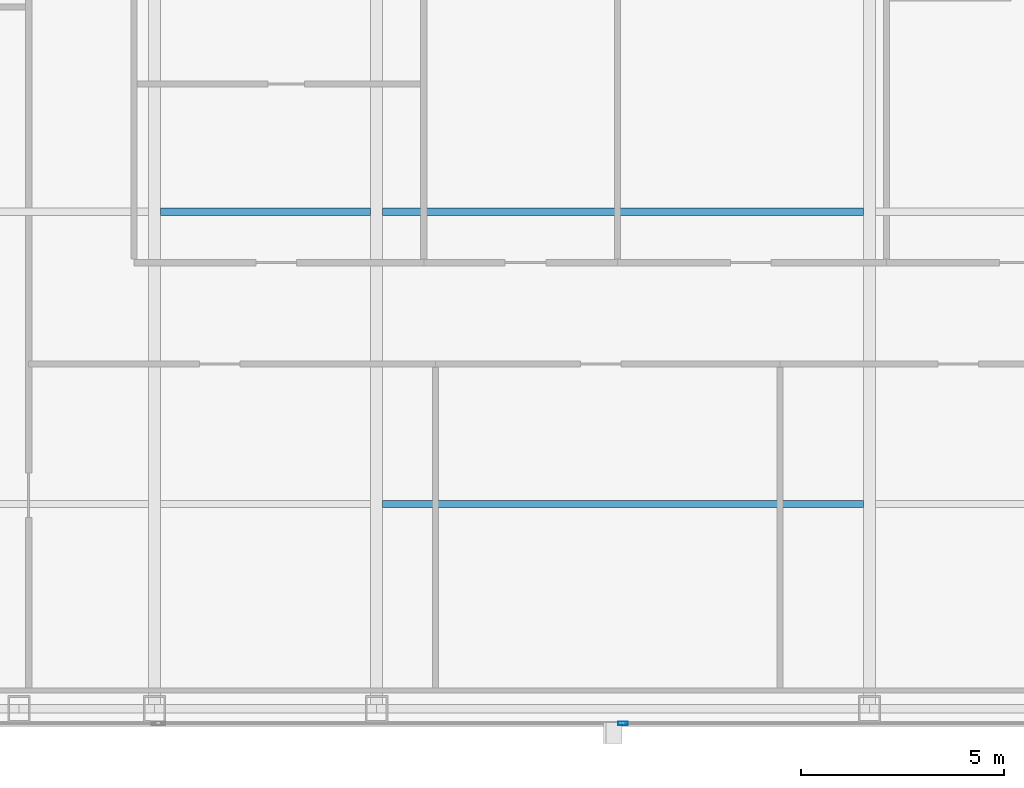
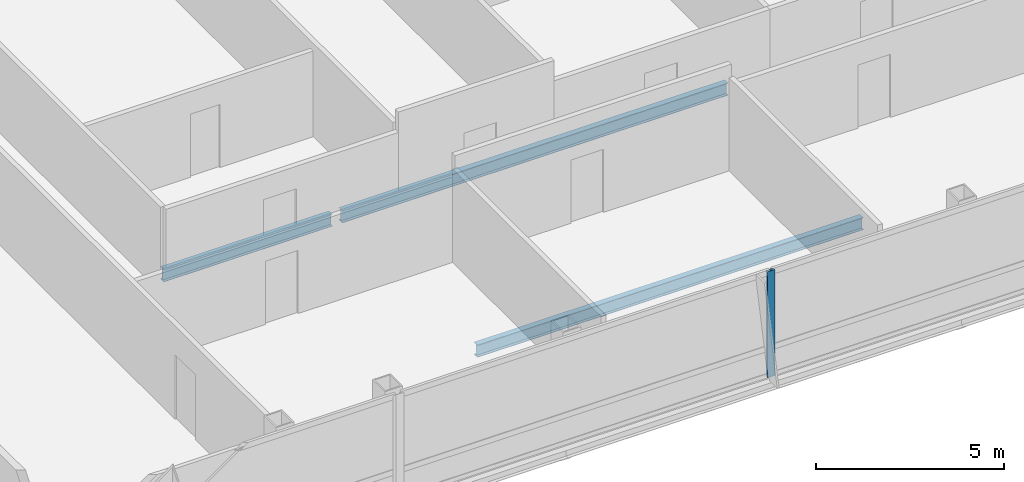
# One storey, part 7 of 25: 3 beams, 1 member, 1 element without a shape of its own.
"""IFC4 building model written with IfcOpenShell, lengths in metres."""

from ifc_helpers import new_model, si_unit, direction, frame, origin, origin_2d, place, context, subcontext, project, spatial, hollow_rectangle, i_section, extrude, material, material_profile, profile_set, type_object, element, aggregate, save


model = new_model("IFC4")

# Units and contexts
model_context = context("Model", 3, precision=1e-05, world=origin(), true_north=direction((0.0, 1.0)))
body_context = subcontext(model_context, "Body", "Model", "MODEL_VIEW")
ifc_project = project(units=[si_unit("LENGTHUNIT", "METRE"), si_unit("AREAUNIT", "SQUARE_METRE"), si_unit("VOLUMEUNIT", "CUBIC_METRE"), si_unit("PLANEANGLEUNIT", "RADIAN"), si_unit("MASSUNIT", "GRAM", prefix="KILO")], contexts=[model_context])

# Site, building, storey
site_placement = place(None, origin())
site = spatial("IfcSite", under=ifc_project, at=site_placement, CompositionType="ELEMENT")
building_placement = place(site_placement, origin())
building = spatial("IfcBuilding", under=site, at=building_placement, Name="Khoronbel Lancet Exchange", CompositionType="ELEMENT")
storey_placement = place(building_placement, frame((0.0, 0.0, 295.0)))
storey = spatial("IfcBuildingStorey", under=building, at=storey_placement, Name="L76", CompositionType="ELEMENT", Elevation=295.0)

# Beams
ifc_material_1 = material(Name="Steel S355", Category="steel")
ifc_material_profile_1 = material_profile(ifc_material_1, i_section(OverallWidth=0.179931640625, OverallDepth=0.39990234375, WebThickness=0.008544921875, FlangeThickness=0.013427734375, at=origin_2d()), Name="IPE 400")
ifc_profile_set_1 = profile_set([ifc_material_profile_1], Name="Steel S355")
beam_type = type_object("IfcBeamType", Name="BM-BJ5", PredefinedType="JOIST", material=ifc_profile_set_1)
beam_1_placement = place(storey_placement, frame((30.52490234375, 15.199951171875, -0.360107421875), z_axis=(1.0, 0.0, 0.0), x_axis=(0.0, 1.0, 0.0)))
element("IfcBeam", 1, at=beam_1_placement, inside=storey, type_object=beam_type, Name="Level L76 secondary composite joist J03", PredefinedType="JOIST", context=body_context, shape_type="SweptSolid", body=[
    extrude(i_section(OverallWidth=0.179931640625, OverallDepth=0.39990234375, WebThickness=0.008544921875, FlangeThickness=0.013427734375, at=origin_2d()), origin(), (0.0, 0.0, 1.0), 11.85009765625),
])
beam_2_placement = place(storey_placement, frame((25.050048828125, 22.39990234375, -0.360107421875), z_axis=(1.0, 0.0, 0.0), x_axis=(0.0, 1.0, 0.0)))
element("IfcBeam", 2, at=beam_2_placement, inside=storey, type_object=beam_type, Name="Level L76 secondary composite joist J07", PredefinedType="JOIST", context=body_context, shape_type="SweptSolid", body=[
    extrude(i_section(OverallWidth=0.179931640625, OverallDepth=0.39990234375, WebThickness=0.008544921875, FlangeThickness=0.013427734375, at=origin_2d()), origin(), (0.0, 0.0, 1.0), 5.175048828125),
])
beam_3_placement = place(storey_placement, frame((30.52490234375, 22.39990234375, -0.360107421875), z_axis=(1.0, 0.0, 0.0), x_axis=(0.0, 1.0, 0.0)))
element("IfcBeam", 3, at=beam_3_placement, inside=storey, type_object=beam_type, Name="Level L76 secondary composite joist J08", PredefinedType="JOIST", context=body_context, shape_type="SweptSolid", body=[
    extrude(i_section(OverallWidth=0.179931640625, OverallDepth=0.39990234375, WebThickness=0.008544921875, FlangeThickness=0.013427734375, at=origin_2d()), origin(), (0.0, 0.0, 1.0), 11.85009765625),
])

# Curtain wall, member
ifc_material_2 = material(Name="Low-E Solar Control Insulating Glass", Category="glass")
curtain_wall_type = type_object("IfcCurtainWallType", Name="CW-3", PredefinedType="NOTDEFINED", material=ifc_material_2)
curtain_wall_placement = place(storey_placement, origin())
curtain_wall = element("IfcCurtainWall", 4, at=curtain_wall_placement, inside=storey, type_object=curtain_wall_type, Name="Unitised curtain wall CW-L76-SCV", PredefinedType="NOTDEFINED")
ifc_material_3 = material(Name="Bronze-Anodised Aluminium 6063-T6", Category="aluminium")
ifc_material_profile_2 = material_profile(ifc_material_3, hollow_rectangle(XDim=0.0849609375, YDim=0.239990234375, WallThickness=0.006103515625, at=origin_2d()), Name="ALU MULLION 85x240")
ifc_profile_set_2 = profile_set([ifc_material_profile_2], Name="Bronze-Anodised Aluminium 6063-T6")
member_type = type_object("IfcMemberType", Name="MEM-CWM1", PredefinedType="MULLION", material=ifc_profile_set_2)
member_placement = place(storey_placement, frame((36.449951171875, 9.7900390625, 0.0), z_axis=(0.0, 0.0, 1.0), x_axis=(0.0, 1.0, 0.0)))
member = element("IfcMember", 5, at=member_placement, type_object=member_type, Name="CW3 mullion 2", PredefinedType="MULLION", context=body_context, shape_type="SweptSolid", body=[
    extrude(hollow_rectangle(XDim=0.0849609375, YDim=0.239990234375, WallThickness=0.006103515625, at=origin_2d()), origin(), (0.0, 0.0, 1.0), 3.43994140625),
])
aggregate(curtain_wall, [member])

save(model, "model.ifc")
